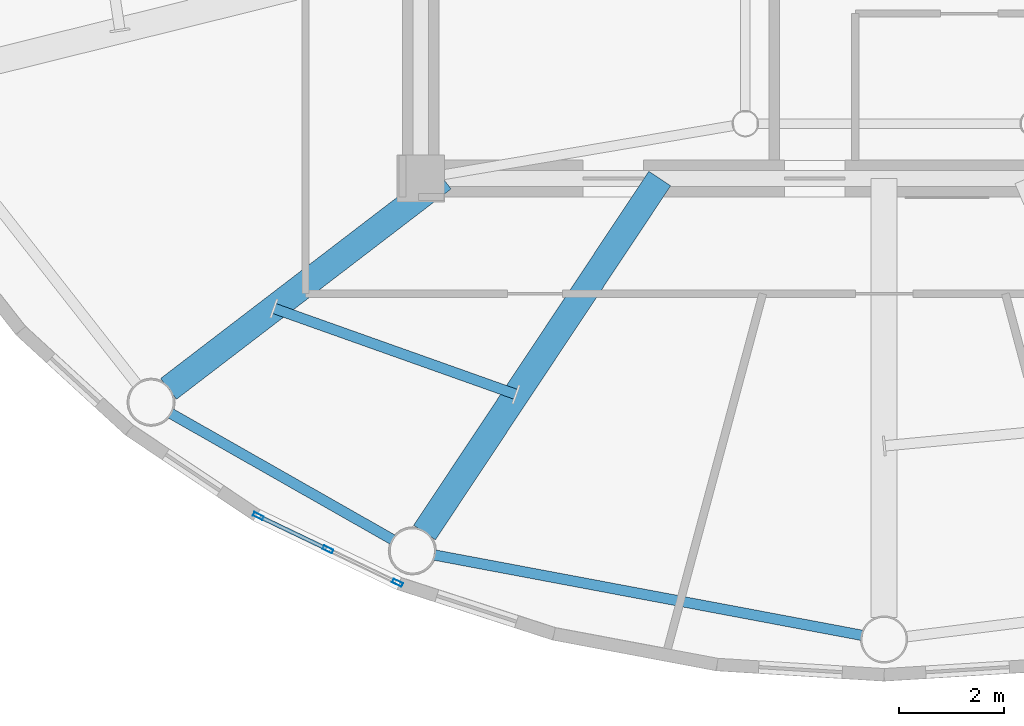
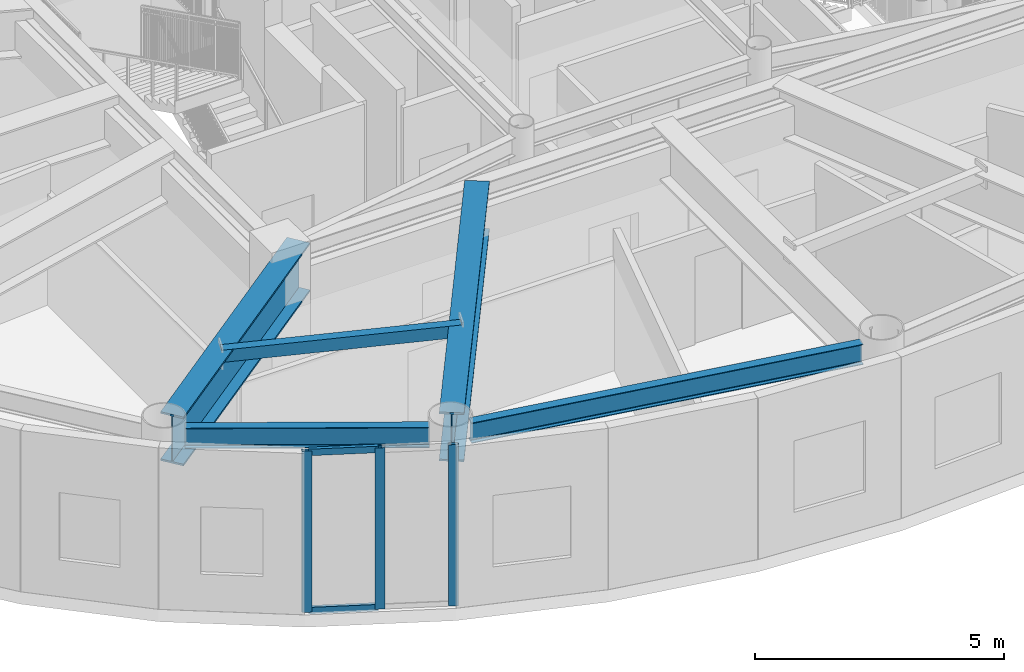
# One storey, part 3 of 26: 5 beams, 5 members, 1 element without a shape of its own.
"""IFC4 building model written with IfcOpenShell, lengths in metres."""

import ifcopenshell
import ifcopenshell.guid

model = None  # the IFC model being written
_history = None  # IfcOwnerHistory: only IFC2X3 demands one
_inside = {}  # id of a spatial element -> (the spatial element, [elements in it])
_under = {}  # id of a project, library or spatial element -> (it, [spatial elements below it])
_declared = {}  # id of a project -> (the project, [libraries it declares])
_typed = {}  # id of a type object -> (the type object, [elements of that type])
_made_of = {}  # id of a material, layer set ... -> (it, [elements and type objects made of it])


def new_model(schema):
    """Start an empty IFC model of exactly this schema.

    Asked for "IFC4X3", IfcOpenShell would pick the latest addendum, in which some entities
    have other attributes; the version numbers below select the first issue.
    IFC2X3 requires an IfcOwnerHistory on every rooted entity: one is made here for all.
    """
    global model, _history
    if schema == "IFC4X3":
        model = ifcopenshell.file(schema_version=(4, 3, 0, 0))
    else:
        model = ifcopenshell.file(schema=schema)
    _inside.clear()
    _under.clear()
    _declared.clear()
    _typed.clear()
    _made_of.clear()
    _history = None
    if model.schema == "IFC2X3":
        org = make("IfcOrganization", Name="unknown")
        user = make(
            "IfcPersonAndOrganization",
            ThePerson=make("IfcPerson", FamilyName="unknown"),
            TheOrganization=org,
        )
        app = make(
            "IfcApplication",
            ApplicationDeveloper=org,
            Version="unknown",
            ApplicationFullName="unknown",
            ApplicationIdentifier="unknown",
        )
        _history = make(
            "IfcOwnerHistory",
            OwningUser=user,
            OwningApplication=app,
            ChangeAction="ADDED",
            CreationDate=0,
        )
    return model


def make(cls, **values):
    """One entity of the class cls with the attributes given. An attribute that is None is left unset."""
    return model.create_entity(
        cls, **{name: value for name, value in values.items() if value is not None}
    )


def rooted(cls, **values):
    """An entity with a GlobalId (a new one), such as an element, a storey or a relation."""
    return make(cls, GlobalId=ifcopenshell.guid.new(), OwnerHistory=_history, **values)


def si_unit(unit_type, name, prefix=None):
    """IfcSIUnit, for example si_unit("LENGTHUNIT", "METRE", prefix="MILLI")."""
    return make("IfcSIUnit", UnitType=unit_type, Prefix=prefix, Name=name)


def assignment(units):
    """IfcUnitAssignment: the units of a project."""
    return None if units is None else make("IfcUnitAssignment", Units=units)


def point(xyz):
    """IfcCartesianPoint."""
    return None if xyz is None else make("IfcCartesianPoint", Coordinates=xyz)


def direction(xyz):
    """IfcDirection."""
    return None if xyz is None else make("IfcDirection", DirectionRatios=xyz)


def frame(location, z_axis=None, x_axis=None):
    """IfcAxis2Placement3D, a coordinate frame: its origin and axes. An axis left out is left unset."""
    return make(
        "IfcAxis2Placement3D",
        Location=point(location),
        Axis=direction(z_axis),
        RefDirection=direction(x_axis),
    )


def frame_2d(location, x_axis=None):
    """IfcAxis2Placement2D, a coordinate frame in the plane: its origin and x axis."""
    return make(
        "IfcAxis2Placement2D", Location=point(location), RefDirection=direction(x_axis)
    )


def origin():
    """The frame at (0, 0, 0) with its axes left unset."""
    return frame((0.0, 0.0, 0.0))


def origin_2d():
    """The frame at (0, 0) in the plane with its x axis left unset."""
    return frame_2d((0.0, 0.0))


def place(relative_to, where):
    """IfcLocalPlacement: puts the frame where relative to a parent placement (None: the world)."""
    return make(
        "IfcLocalPlacement", PlacementRelTo=relative_to, RelativePlacement=where
    )


def context(
    kind, dimensions, precision=None, world=None, true_north=None, identifier=None
):
    """IfcGeometricRepresentationContext, for example the 3D "Model" context."""
    return make(
        "IfcGeometricRepresentationContext",
        ContextIdentifier=identifier,
        ContextType=kind,
        CoordinateSpaceDimension=dimensions,
        Precision=precision,
        WorldCoordinateSystem=world,
        TrueNorth=true_north,
    )


def subcontext(parent, identifier, kind, view, scale=None):
    """IfcGeometricRepresentationSubContext, for example "Body" below "Model"."""
    return make(
        "IfcGeometricRepresentationSubContext",
        ContextIdentifier=identifier,
        ContextType=kind,
        ParentContext=parent,
        TargetScale=scale,
        TargetView=view,
    )


def project(units=None, contexts=None):
    """IfcProject with its units and contexts."""
    return rooted(
        "IfcProject",
        Name="project",
        RepresentationContexts=contexts,
        UnitsInContext=assignment(units),
    )


def spatial(cls, under=None, at=None, **own):
    """A site, building, storey or space (cls), placed at a placement, below another one or the project."""
    s = rooted(cls, ObjectPlacement=at, **own)
    if under is not None:
        _under.setdefault(under.id(), (under, []))[1].append(s)
    return s


def profile(cls, at=None, kind="AREA", **sizes):
    """A parametric profile (cls). Its sizes go by their IFC names, for example OverallWidth=200.0."""
    return make(cls, ProfileType=kind, Position=at, **sizes)


def hollow_rectangle(**sizes):
    """IfcRectangleHollowProfileDef."""
    return profile("IfcRectangleHollowProfileDef", **sizes)


def i_section(**sizes):
    """IfcIShapeProfileDef."""
    return profile("IfcIShapeProfileDef", **sizes)


def extrude(swept, where, along, depth):
    """IfcExtrudedAreaSolid: the profile swept, set in the frame where, extruded along a direction by depth."""
    return make(
        "IfcExtrudedAreaSolid",
        SweptArea=swept,
        Position=where,
        ExtrudedDirection=direction(along),
        Depth=depth,
    )


def shape(context_of_items, identifier, shape_type, items):
    """IfcShapeRepresentation: the items that make up one representation, for example the "Body"."""
    return make(
        "IfcShapeRepresentation",
        ContextOfItems=context_of_items,
        RepresentationIdentifier=identifier,
        RepresentationType=shape_type,
        Items=items,
    )


def source(mapping_origin, context_of_items, identifier, shape_type, items):
    """IfcRepresentationMap: a shape defined once, which mapped items show again and again."""
    return make(
        "IfcRepresentationMap",
        MappingOrigin=mapping_origin,
        MappedRepresentation=shape(context_of_items, identifier, shape_type, items),
    )


def transform(
    local_origin,
    x_axis=None,
    y_axis=None,
    z_axis=None,
    scale=None,
    scale2=None,
    scale3=None,
    uniform=True,
):
    """IfcCartesianTransformationOperator3D, or its non-uniform kind. x_axis, y_axis, z_axis: its Axis1, 2, 3."""
    if uniform:
        return make(
            "IfcCartesianTransformationOperator3D",
            Axis1=direction(x_axis),
            Axis2=direction(y_axis),
            LocalOrigin=point(local_origin),
            Scale=scale,
            Axis3=direction(z_axis),
        )
    return make(
        "IfcCartesianTransformationOperator3DnonUniform",
        Axis1=direction(x_axis),
        Axis2=direction(y_axis),
        LocalOrigin=point(local_origin),
        Scale=scale,
        Axis3=direction(z_axis),
        Scale2=scale2,
        Scale3=scale3,
    )


def mapped(mapping_source, mapping_target):
    """IfcMappedItem: shows the shape of a source again, moved by a transform."""
    return make(
        "IfcMappedItem", MappingSource=mapping_source, MappingTarget=mapping_target
    )


def material(Name=None, Category=None):
    """IfcMaterial."""
    return make("IfcMaterial", Name=Name, Category=Category)


def layer(
    of_material, thickness, ventilated=None, Name=None, Category=None, Priority=None
):
    """IfcMaterialLayer: one layer of a wall or slab, of a material (None: an air gap)."""
    return make(
        "IfcMaterialLayer",
        Material=of_material,
        LayerThickness=thickness,
        IsVentilated=ventilated,
        Name=Name,
        Category=Category,
        Priority=Priority,
    )


def layer_set(layers, Name=None):
    """IfcMaterialLayerSet."""
    return make("IfcMaterialLayerSet", MaterialLayers=layers, LayerSetName=Name)


def material_profile(
    of_material, cross_section, Name=None, Category=None, Priority=None
):
    """IfcMaterialProfile: a cross section and its material."""
    return make(
        "IfcMaterialProfile",
        Name=Name,
        Material=of_material,
        Profile=cross_section,
        Priority=Priority,
        Category=Category,
    )


def profile_set(profiles, Name=None, composite=None):
    """IfcMaterialProfileSet."""
    return make(
        "IfcMaterialProfileSet",
        Name=Name,
        MaterialProfiles=profiles,
        CompositeProfile=composite,
    )


def made_of(thing, what):
    """Note that an element or type object is made of a material, layer set ...; save() writes the relation."""
    if what is not None:
        _made_of.setdefault(what.id(), (what, []))[1].append(thing)
    return thing


def type_object(cls, material=None, **own):
    """A type object (cls), such as IfcWallType, which elements share."""
    return made_of(rooted(cls, **own), material)


def element(
    cls,
    number,
    at=None,
    inside=None,
    cuts=None,
    type_object=None,
    material=None,
    context=None,
    identifier="Body",
    shape_type=None,
    held_by="IfcProductDefinitionShape",
    body=None,
    shapes=None,
    **own,
):
    """One element of the class cls, such as IfcWall. Its Tag is "e" and its number.

    at: its placement. inside: the storey or other place that contains it. cuts: it is an
    opening in that element (IfcRelVoidsElement). A single representation is given by context,
    identifier, shape_type and body (its items); several are given by shapes. held_by: the class
    of the entity that holds the representations. save() writes the other relations.
    """
    e = rooted(cls, Tag="e%d" % number, ObjectPlacement=at, **own)
    if body is not None:
        shapes = [shape(context, identifier, shape_type, body)]
    if shapes is not None:
        e.Representation = make(held_by, Representations=shapes)
    if inside is not None:
        _inside.setdefault(inside.id(), (inside, []))[1].append(e)
    if cuts is not None:
        rooted(
            "IfcRelVoidsElement", RelatingBuildingElement=cuts, RelatedOpeningElement=e
        )
    if type_object is not None:
        _typed.setdefault(type_object.id(), (type_object, []))[1].append(e)
    return made_of(e, material)


def aggregate(whole, parts):
    """IfcRelAggregates: a whole, such as a stair, and the parts it consists of."""
    return rooted("IfcRelAggregates", RelatingObject=whole, RelatedObjects=parts)


def save(model, path):
    """Write the relations noted so far, then the file.

    IfcRelAggregates (storeys below a building ...), IfcRelContainedInSpatialStructure (elements
    in a storey), IfcRelDefinesByType, IfcRelAssociatesMaterial and IfcRelDeclares: one each for
    every whole, place, type object, material and project.
    """
    for whole, parts in _under.values():
        aggregate(whole, parts)
    for where, things in _inside.values():
        rooted(
            "IfcRelContainedInSpatialStructure",
            RelatedElements=things,
            RelatingStructure=where,
        )
    for kind, things in _typed.values():
        rooted("IfcRelDefinesByType", RelatedObjects=things, RelatingType=kind)
    for what, things in _made_of.values():
        rooted("IfcRelAssociatesMaterial", RelatedObjects=things, RelatingMaterial=what)
    for by, libraries in _declared.values():
        rooted("IfcRelDeclares", RelatingContext=by, RelatedDefinitions=libraries)
    model.write(path)


model = new_model("IFC4")

# Units and contexts
model_context = context("Model", 3, precision=1e-05, world=origin(), true_north=direction((0.0, 1.0)))
body_context = subcontext(model_context, "Body", "Model", "MODEL_VIEW")
ifc_project = project(units=[si_unit("LENGTHUNIT", "METRE"), si_unit("AREAUNIT", "SQUARE_METRE"), si_unit("VOLUMEUNIT", "CUBIC_METRE"), si_unit("PLANEANGLEUNIT", "RADIAN"), si_unit("MASSUNIT", "GRAM", prefix="KILO")], contexts=[model_context])

# Site, building, storey
site_placement = place(None, origin())
site = spatial("IfcSite", under=ifc_project, at=site_placement, CompositionType="ELEMENT")
building_placement = place(site_placement, origin())
building = spatial("IfcBuilding", under=site, at=building_placement, Name="Linh Dai School and Residence Tower", CompositionType="ELEMENT")
storey_placement = place(building_placement, frame((0.0, 0.0, 351.0)))
storey = spatial("IfcBuildingStorey", under=building, at=storey_placement, Name="L87", CompositionType="ELEMENT", Elevation=351.0)

# Beams
ifc_material_1 = material(Name="Structural Steel S355JR", Category="steel")
ifc_material_profile_1 = material_profile(ifc_material_1, hollow_rectangle(XDim=0.199951171875, YDim=0.300048828125, WallThickness=0.010009765625, at=origin_2d()), Name="RHS 300x200x10")
ifc_profile_set_1 = profile_set([ifc_material_profile_1], Name="Structural Steel S355JR")
beam_type_1 = type_object("IfcBeamType", Name="BM-BX3", PredefinedType="BEAM", material=ifc_profile_set_1)
beam_1_placement = place(storey_placement, frame((24.345703125, 18.070068359375, 3.800048828125), z_axis=(0.942259700993, -0.334883048069, 0.0), x_axis=(0.334883048069, 0.942259700993, 0.0)))
element("IfcBeam", 1, at=beam_1_placement, inside=storey, type_object=beam_type_1, Name="L87 Secondary Circumferential Floor Beam 06", PredefinedType="BEAM", context=body_context, shape_type="SweptSolid", body=[
    extrude(hollow_rectangle(XDim=0.199951171875, YDim=0.300048828125, WallThickness=0.010009765625, at=origin_2d()), origin(), (0.0, 0.0, 1.0), 4.9072265625),
])
ifc_material_profile_2 = material_profile(ifc_material_1, i_section(OverallWidth=0.199951171875, OverallDepth=0.5, WebThickness=0.01025390625, FlangeThickness=0.01611328125, FilletRadius=0.02099609375, at=origin_2d()), Name="IPE 500")
ifc_profile_set_2 = profile_set([ifc_material_profile_2], Name="Structural Steel S355JR")
beam_type_2 = type_object("IfcBeamType", Name="BM-RB50", PredefinedType="BEAM", material=ifc_profile_set_2)
beam_2_placement = place(storey_placement, frame((22.362548828125, 16.069580078125, 3.699951171875), z_axis=(0.86923725405, -0.494395182189, 0.0), x_axis=(0.494395182189, 0.86923725405, 0.0)))
element("IfcBeam", 2, at=beam_2_placement, inside=storey, type_object=beam_type_2, Name="L87 Perimeter Elliptical Ring Beam 11", PredefinedType="BEAM", context=body_context, shape_type="SweptSolid", body=[
    extrude(i_section(OverallWidth=0.199951171875, OverallDepth=0.5, WebThickness=0.01025390625, FlangeThickness=0.01611328125, FilletRadius=0.02099609375, at=origin_2d()), origin(), (0.0, 0.0, 1.0), 4.903076171875),
])
beam_3_placement = place(storey_placement, frame((27.402587890625, 13.3603515625, 3.699951171875), z_axis=(0.98280175603, -0.184663771066, 0.0), x_axis=(0.184663771066, 0.98280175603, 0.0)))
element("IfcBeam", 3, at=beam_3_placement, inside=storey, type_object=beam_type_2, Name="L87 Perimeter Elliptical Ring Beam 12", PredefinedType="BEAM", context=body_context, shape_type="SweptSolid", body=[
    extrude(i_section(OverallWidth=0.199951171875, OverallDepth=0.5, WebThickness=0.01025390625, FlangeThickness=0.01611328125, FilletRadius=0.02099609375, at=origin_2d()), origin(), (0.0, 0.0, 1.0), 8.327880859375),
])
ifc_material_profile_3 = material_profile(ifc_material_1, i_section(OverallWidth=0.5, OverallDepth=1.199951171875, WebThickness=0.02392578125, FlangeThickness=0.044921875, at=origin_2d()), Name="PG 1200x500x24x45")
ifc_profile_set_3 = profile_set([ifc_material_profile_3], Name="Structural Steel S355JR")
beam_type_3 = type_object("IfcBeamType", Name="BM-TG12", PredefinedType="BEAM", material=ifc_profile_set_3)
beam_4_placement = place(storey_placement, frame((27.5771484375, 20.550048828125, 3.35009765625), z_axis=(-0.793929753809, -0.608009495006, 0.0), x_axis=(0.608009495006, -0.793929753809, 0.0)))
element("IfcBeam", 4, at=beam_4_placement, inside=storey, type_object=beam_type_3, Name="L87 Primary Radial Floor Girder 11", PredefinedType="BEAM", context=body_context, shape_type="SweptSolid", body=[
    extrude(i_section(OverallWidth=0.5, OverallDepth=1.199951171875, WebThickness=0.02392578125, FlangeThickness=0.044921875, at=origin_2d()), origin(), (0.0, 0.0, 1.0), 6.607666015625),
])
beam_5_placement = place(storey_placement, frame((31.71484375, 20.550048828125, 3.35009765625), z_axis=(-0.553380967678, -0.832928270989, 0.0), x_axis=(0.832928270989, -0.553380967678, 0.0)))
element("IfcBeam", 5, at=beam_5_placement, inside=storey, type_object=beam_type_3, Name="L87 Primary Radial Floor Girder 12", PredefinedType="BEAM", context=body_context, shape_type="SweptSolid", body=[
    extrude(i_section(OverallWidth=0.5, OverallDepth=1.199951171875, WebThickness=0.02392578125, FlangeThickness=0.044921875, at=origin_2d()), origin(), (0.0, 0.0, 1.0), 8.11865234375),
])

# Curtain wall, members
ifc_material_2 = material(Name="Aluminium Anodised Curtain Wall", Category="aluminium")
ifc_layer = layer(ifc_material_2, 0.199951171875)
ifc_layer_set = layer_set([ifc_layer], Name="Aluminium Anodised Curtain Wall")
curtain_wall_type = type_object("IfcCurtainWallType", Name="CW-SYS-6", PredefinedType="USERDEFINED", material=ifc_layer_set)
curtain_wall_placement = place(storey_placement, origin())
curtain_wall = element("IfcCurtainWall", 6, at=curtain_wall_placement, inside=storey, type_object=curtain_wall_type, Name="L87 CW6 Curtain Wall 27", ObjectType="UNITISED CURTAIN WALL", PredefinedType="USERDEFINED")
ifc_material_3 = material(Name="Aluminium Alloy 6063-T6", Category="aluminium")
ifc_material_profile_4 = material_profile(ifc_material_3, hollow_rectangle(XDim=0.074951171875, YDim=0.159912109375, WallThickness=0.00390625, at=origin_2d()), Name="RHS 160x75x4")
ifc_profile_set_4 = profile_set([ifc_material_profile_4], Name="Aluminium Alloy 6063-T6")
member_type_1 = type_object("IfcMemberType", Name="CW-SYS-6-TRN", PredefinedType="USERDEFINED", material=ifc_profile_set_4)
shared_shape_1 = source(origin(), body_context, "Body", "SweptSolid", [
    extrude(hollow_rectangle(XDim=0.074951171875, YDim=0.159912109375, WallThickness=0.00390625, at=origin_2d()), origin(), (0.0, 0.0, 1.0), 1.39990234375),
])
member_1_placement = place(storey_placement, frame((25.342041015625, 13.481689453125, 0.03759765625), z_axis=(-0.901563871495, 0.432646028081, 0.0), x_axis=(-0.432646028081, -0.901563871495, 0.0)))
member_1 = element("IfcMember", 7, at=member_1_placement, type_object=member_type_1, Name="CW6 transom 2.1", ObjectType="TRANSOM", PredefinedType="USERDEFINED", context=body_context, shape_type="MappedRepresentation", body=[
    mapped(shared_shape_1, transform((0.0, 0.0, 0.0), x_axis=(1.0, 0.0, 0.0), y_axis=(0.0, 1.0, 0.0), z_axis=(0.0, 0.0, 1.0), scale=1.0)),
])
member_2_placement = place(storey_placement, frame((25.342041015625, 13.481689453125, 3.91259765625), z_axis=(-0.901563871495, 0.432646028081, 0.0), x_axis=(-0.432646028081, -0.901563871495, 0.0)))
member_2 = element("IfcMember", 8, at=member_2_placement, type_object=member_type_1, Name="CW6 transom 2.2", ObjectType="TRANSOM", PredefinedType="USERDEFINED", context=body_context, shape_type="MappedRepresentation", body=[
    mapped(shared_shape_1, transform((0.0, 0.0, 0.0), x_axis=(1.0, 0.0, 0.0), y_axis=(0.0, 1.0, 0.0), z_axis=(0.0, 0.0, 1.0), scale=1.0)),
])
ifc_material_profile_5 = material_profile(ifc_material_3, hollow_rectangle(XDim=0.074951171875, YDim=0.199951171875, WallThickness=0.00390625, at=origin_2d()), Name="RHS 200x75x4")
ifc_profile_set_5 = profile_set([ifc_material_profile_5], Name="Aluminium Alloy 6063-T6")
member_type_2 = type_object("IfcMemberType", Name="CW-SYS-6-MUL", PredefinedType="MULLION", material=ifc_profile_set_5)
shared_shape_2 = source(origin(), body_context, "Body", "SweptSolid", [
    extrude(hollow_rectangle(XDim=0.074951171875, YDim=0.199951171875, WallThickness=0.00390625, at=origin_2d()), origin(), (0.0, 0.0, 1.0), 3.949951171875),
])
member_3_placement = place(storey_placement, frame((26.705810546875, 12.8271484375, 0.0), z_axis=(0.0, 0.0, 1.0), x_axis=(-0.432673572418, -0.901550652892, 0.0)))
member_3 = element("IfcMember", 9, at=member_3_placement, type_object=member_type_2, Name="CW6 mullion 1", PredefinedType="MULLION", context=body_context, shape_type="MappedRepresentation", body=[
    mapped(shared_shape_2, transform((0.0, 0.0, 0.0), x_axis=(1.0, 0.0, 0.0), y_axis=(0.0, 1.0, 0.0), z_axis=(0.0, 0.0, 1.0), scale=1.0)),
])
member_4_placement = place(storey_placement, frame((25.3759765625, 13.46533203125, 0.0), z_axis=(0.0, 0.0, 1.0), x_axis=(-0.432673572418, -0.901550652892, 0.0)))
member_4 = element("IfcMember", 10, at=member_4_placement, type_object=member_type_2, Name="CW6 mullion 2", PredefinedType="MULLION", context=body_context, shape_type="MappedRepresentation", body=[
    mapped(shared_shape_2, transform((0.0, 0.0, 0.0), x_axis=(1.0, 0.0, 0.0), y_axis=(0.0, 1.0, 0.0), z_axis=(0.0, 0.0, 1.0), scale=1.0)),
])
member_5_placement = place(storey_placement, frame((24.046142578125, 14.103759765625, 0.0), z_axis=(0.0, 0.0, 1.0), x_axis=(-0.432673572418, -0.901550652892, 0.0)))
member_5 = element("IfcMember", 11, at=member_5_placement, type_object=member_type_2, Name="CW6 mullion 3", PredefinedType="MULLION", context=body_context, shape_type="MappedRepresentation", body=[
    mapped(shared_shape_2, transform((0.0, 0.0, 0.0), x_axis=(1.0, 0.0, 0.0), y_axis=(0.0, 1.0, 0.0), z_axis=(0.0, 0.0, 1.0), scale=1.0)),
])
aggregate(curtain_wall, [member_3, member_4, member_5, member_1, member_2])

save(model, "model.ifc")
